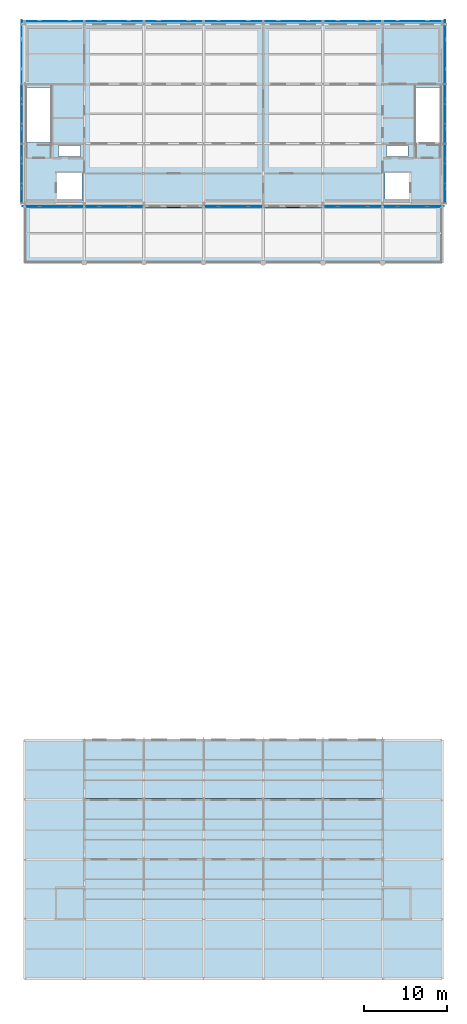
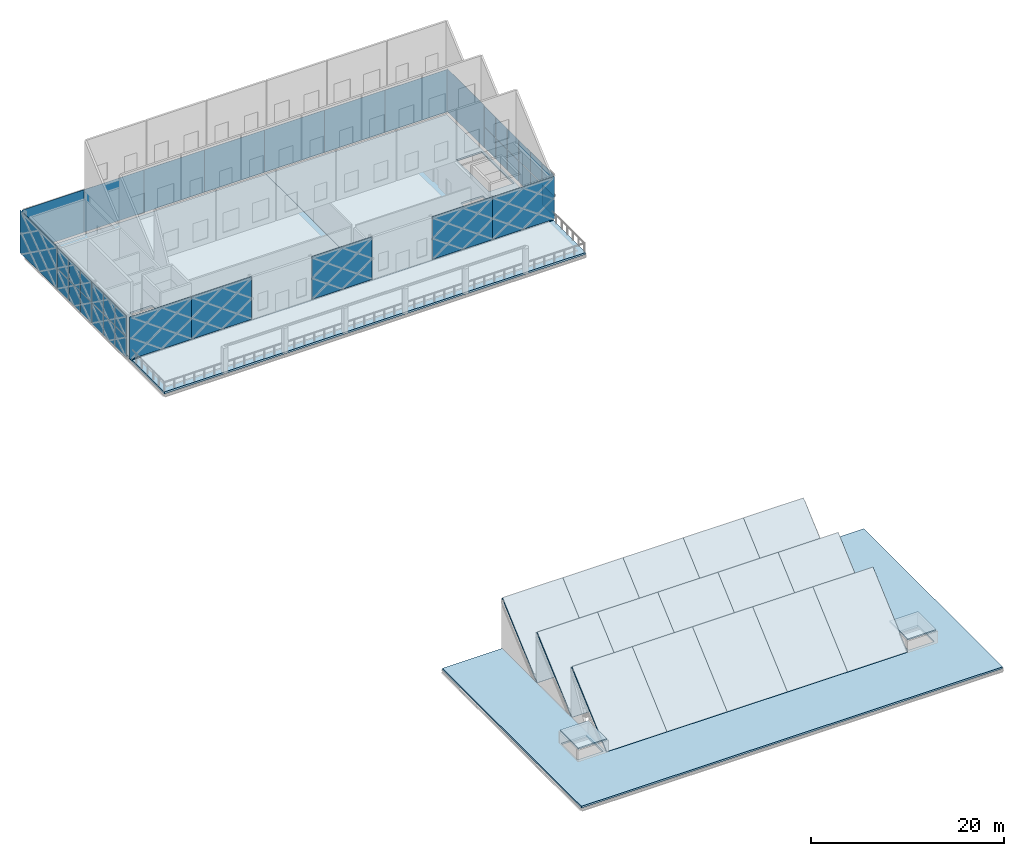
# One storey, part 19 of 31: 38 plates, 21 slabs, 4 elements without a shape of their own.
"""IFC4 building model written with IfcOpenShell, lengths in metres."""

from ifc_helpers import new_model, si_unit, direction, frame, origin, origin_2d, place, context, subcontext, project, spatial, polyline, rectangle, outline, extrude, material, layer, layer_set, type_object, element, aggregate, save


model = new_model("IFC4")

# Units and contexts
model_context = context("Model", 3, precision=1e-05, world=origin(), true_north=direction((0.0, 1.0)))
body_context = subcontext(model_context, "Body", "Model", "MODEL_VIEW")
ifc_project = project(units=[si_unit("LENGTHUNIT", "METRE"), si_unit("AREAUNIT", "SQUARE_METRE"), si_unit("VOLUMEUNIT", "CUBIC_METRE"), si_unit("PLANEANGLEUNIT", "RADIAN"), si_unit("MASSUNIT", "GRAM", prefix="KILO")], contexts=[model_context])

# Site, building, storey
site_placement = place(None, origin())
site = spatial("IfcSite", under=ifc_project, at=site_placement, CompositionType="ELEMENT")
building_placement = place(site_placement, origin())
building = spatial("IfcBuilding", under=site, at=building_placement, Name="Zlatovets Crest Museum", CompositionType="ELEMENT")
storey_placement = place(building_placement, frame((0.0, 0.0, 25.199951171875)))
storey = spatial("IfcBuildingStorey", under=building, at=storey_placement, Name="L05", CompositionType="ELEMENT", Elevation=25.199951171875)

# Curtain wall, plates
ifc_material_1 = material(Name="Bronze-anodised aluminium and low-E triple glass", Category="aluminium")
curtain_wall_type_1 = type_object("IfcCurtainWallType", Name="CW_CW-V1-L05-M0", PredefinedType="NOTDEFINED", material=ifc_material_1)
curtain_wall_1_placement = place(storey_placement, origin())
curtain_wall_1 = element("IfcCurtainWall", 1, at=curtain_wall_1_placement, inside=storey, type_object=curtain_wall_type_1, Name="V1 L05 Expressed Core Glazed Facade", PredefinedType="NOTDEFINED")
ifc_material_2 = material(Name="Solar-control low-E laminated triple glass", Category="glass")
ifc_layer_1 = layer(ifc_material_2, 0.030029296875)
ifc_layer_set_1 = layer_set([ifc_layer_1], Name="Solar-control low-E laminated triple glass")
plate_type_1 = type_object("IfcPlateType", Name="CWPanel_CW-V1-L05-M0", PredefinedType="CURTAIN_PANEL", material=ifc_layer_set_1)
plate_1_placement = place(storey_placement, frame((108.340087890625, 102.014892578125, 0.06005859375), z_axis=(0.0, 0.0, 1.0), x_axis=(0.0, 1.0, 0.0)))
plate_1 = element("IfcPlate", 2, at=plate_1_placement, type_object=plate_type_1, Name="CW-V1-L05-M0 panel 1.1", PredefinedType="CURTAIN_PANEL", context=body_context, shape_type="SweptSolid", body=[
    extrude(rectangle(XDim=2.31005859375, YDim=0.030029296875, at=origin_2d()), origin(), (0.0, 0.0, 1.0), 2.610107421875),
])
plate_2_placement = place(storey_placement, frame((108.340087890625, 102.014892578125, 2.72998046875), z_axis=(0.0, 0.0, 1.0), x_axis=(0.0, 1.0, 0.0)))
plate_2 = element("IfcPlate", 3, at=plate_2_placement, type_object=plate_type_1, Name="CW-V1-L05-M0 panel 1.2", PredefinedType="CURTAIN_PANEL", context=body_context, shape_type="SweptSolid", body=[
    extrude(rectangle(XDim=2.31005859375, YDim=0.030029296875, at=origin_2d()), origin(), (0.0, 0.0, 1.0), 2.610107421875),
])
plate_3_placement = place(storey_placement, frame((108.340087890625, 104.39990234375, 0.06005859375), z_axis=(0.0, 0.0, 1.0), x_axis=(0.0, 1.0, 0.0)))
plate_3 = element("IfcPlate", 4, at=plate_3_placement, type_object=plate_type_1, Name="CW-V1-L05-M0 panel 2.1", PredefinedType="CURTAIN_PANEL", context=body_context, shape_type="SweptSolid", body=[
    extrude(rectangle(XDim=2.340087890625, YDim=0.030029296875, at=origin_2d()), origin(), (0.0, 0.0, 1.0), 2.610107421875),
])
plate_4_placement = place(storey_placement, frame((108.340087890625, 104.39990234375, 2.72998046875), z_axis=(0.0, 0.0, 1.0), x_axis=(0.0, 1.0, 0.0)))
plate_4 = element("IfcPlate", 5, at=plate_4_placement, type_object=plate_type_1, Name="CW-V1-L05-M0 panel 2.2", PredefinedType="CURTAIN_PANEL", context=body_context, shape_type="SweptSolid", body=[
    extrude(rectangle(XDim=2.340087890625, YDim=0.030029296875, at=origin_2d()), origin(), (0.0, 0.0, 1.0), 2.610107421875),
])
plate_5_placement = place(storey_placement, frame((108.340087890625, 106.784912109375, 0.06005859375), z_axis=(0.0, 0.0, 1.0), x_axis=(0.0, 1.0, 0.0)))
plate_5 = element("IfcPlate", 6, at=plate_5_placement, type_object=plate_type_1, Name="CW-V1-L05-M0 panel 3.1", PredefinedType="CURTAIN_PANEL", context=body_context, shape_type="SweptSolid", body=[
    extrude(rectangle(XDim=2.31005859375, YDim=0.030029296875, at=origin_2d()), origin(), (0.0, 0.0, 1.0), 2.610107421875),
])
plate_6_placement = place(storey_placement, frame((108.340087890625, 106.784912109375, 2.72998046875), z_axis=(0.0, 0.0, 1.0), x_axis=(0.0, 1.0, 0.0)))
plate_6 = element("IfcPlate", 7, at=plate_6_placement, type_object=plate_type_1, Name="CW-V1-L05-M0 panel 3.2", PredefinedType="CURTAIN_PANEL", context=body_context, shape_type="SweptSolid", body=[
    extrude(rectangle(XDim=2.31005859375, YDim=0.030029296875, at=origin_2d()), origin(), (0.0, 0.0, 1.0), 2.610107421875),
])
aggregate(curtain_wall_1, [plate_1, plate_2, plate_3, plate_4, plate_5, plate_6])

curtain_wall_type_2 = type_object("IfcCurtainWallType", Name="CW_CW-V1-L05-M2", PredefinedType="NOTDEFINED", material=ifc_material_1)
curtain_wall_2_placement = place(storey_placement, origin())
curtain_wall_2 = element("IfcCurtainWall", 8, at=curtain_wall_2_placement, inside=storey, type_object=curtain_wall_type_2, Name="V1 L05 Expressed Core Glazed Facade", PredefinedType="NOTDEFINED")
ifc_layer_2 = layer(ifc_material_2, 0.030029296875)
ifc_layer_set_2 = layer_set([ifc_layer_2], Name="Solar-control low-E laminated triple glass")
plate_type_2 = type_object("IfcPlateType", Name="CWPanel_CW-V1-L05-M2", PredefinedType="CURTAIN_PANEL", material=ifc_layer_set_2)
plate_7_placement = place(storey_placement, frame((57.260009765625, 106.784912109375, 0.06005859375), z_axis=(0.0, 0.0, 1.0), x_axis=(0.0, -1.0, 0.0)))
plate_7 = element("IfcPlate", 9, at=plate_7_placement, type_object=plate_type_2, Name="CW-V1-L05-M2 panel 1.1", PredefinedType="CURTAIN_PANEL", context=body_context, shape_type="SweptSolid", body=[
    extrude(rectangle(XDim=2.31005859375, YDim=0.030029296875, at=origin_2d()), origin(), (0.0, 0.0, 1.0), 2.610107421875),
])
plate_8_placement = place(storey_placement, frame((57.260009765625, 106.784912109375, 2.72998046875), z_axis=(0.0, 0.0, 1.0), x_axis=(0.0, -1.0, 0.0)))
plate_8 = element("IfcPlate", 10, at=plate_8_placement, type_object=plate_type_2, Name="CW-V1-L05-M2 panel 1.2", PredefinedType="CURTAIN_PANEL", context=body_context, shape_type="SweptSolid", body=[
    extrude(rectangle(XDim=2.31005859375, YDim=0.030029296875, at=origin_2d()), origin(), (0.0, 0.0, 1.0), 2.610107421875),
])
plate_9_placement = place(storey_placement, frame((57.260009765625, 104.39990234375, 0.06005859375), z_axis=(0.0, 0.0, 1.0), x_axis=(0.0, -1.0, 0.0)))
plate_9 = element("IfcPlate", 11, at=plate_9_placement, type_object=plate_type_2, Name="CW-V1-L05-M2 panel 2.1", PredefinedType="CURTAIN_PANEL", context=body_context, shape_type="SweptSolid", body=[
    extrude(rectangle(XDim=2.340087890625, YDim=0.030029296875, at=origin_2d()), origin(), (0.0, 0.0, 1.0), 2.610107421875),
])
plate_10_placement = place(storey_placement, frame((57.260009765625, 104.39990234375, 2.72998046875), z_axis=(0.0, 0.0, 1.0), x_axis=(0.0, -1.0, 0.0)))
plate_10 = element("IfcPlate", 12, at=plate_10_placement, type_object=plate_type_2, Name="CW-V1-L05-M2 panel 2.2", PredefinedType="CURTAIN_PANEL", context=body_context, shape_type="SweptSolid", body=[
    extrude(rectangle(XDim=2.340087890625, YDim=0.030029296875, at=origin_2d()), origin(), (0.0, 0.0, 1.0), 2.610107421875),
])
plate_11_placement = place(storey_placement, frame((57.260009765625, 102.014892578125, 0.06005859375), z_axis=(0.0, 0.0, 1.0), x_axis=(0.0, -1.0, 0.0)))
plate_11 = element("IfcPlate", 13, at=plate_11_placement, type_object=plate_type_2, Name="CW-V1-L05-M2 panel 3.1", PredefinedType="CURTAIN_PANEL", context=body_context, shape_type="SweptSolid", body=[
    extrude(rectangle(XDim=2.31005859375, YDim=0.030029296875, at=origin_2d()), origin(), (0.0, 0.0, 1.0), 2.610107421875),
])
plate_12_placement = place(storey_placement, frame((57.260009765625, 102.014892578125, 2.72998046875), z_axis=(0.0, 0.0, 1.0), x_axis=(0.0, -1.0, 0.0)))
plate_12 = element("IfcPlate", 14, at=plate_12_placement, type_object=plate_type_2, Name="CW-V1-L05-M2 panel 3.2", PredefinedType="CURTAIN_PANEL", context=body_context, shape_type="SweptSolid", body=[
    extrude(rectangle(XDim=2.31005859375, YDim=0.030029296875, at=origin_2d()), origin(), (0.0, 0.0, 1.0), 2.610107421875),
])
aggregate(curtain_wall_2, [plate_7, plate_8, plate_9, plate_10, plate_11, plate_12])

curtain_wall_type_3 = type_object("IfcCurtainWallType", Name="CW_CW-V1-L05-M3", PredefinedType="NOTDEFINED", material=ifc_material_1)
curtain_wall_3_placement = place(storey_placement, origin())
curtain_wall_3 = element("IfcCurtainWall", 15, at=curtain_wall_3_placement, inside=storey, type_object=curtain_wall_type_3, Name="V1 L05 Expressed Core Glazed Facade", PredefinedType="NOTDEFINED")
ifc_layer_3 = layer(ifc_material_2, 0.030029296875)
ifc_layer_set_3 = layer_set([ifc_layer_3], Name="Solar-control low-E laminated triple glass")
plate_type_3 = type_object("IfcPlateType", Name="CWPanel_CW-V1-L05-M3", PredefinedType="CURTAIN_PANEL", material=ifc_layer_set_3)
plate_13_placement = place(storey_placement, frame((108.340087890625, 94.81494140625, 0.06005859375), z_axis=(0.0, 0.0, 1.0), x_axis=(0.0, 1.0, 0.0)))
plate_13 = element("IfcPlate", 16, at=plate_13_placement, type_object=plate_type_3, Name="CW-V1-L05-M3 panel 1.1", PredefinedType="CURTAIN_PANEL", context=body_context, shape_type="SweptSolid", body=[
    extrude(rectangle(XDim=2.31005859375, YDim=0.030029296875, at=origin_2d()), origin(), (0.0, 0.0, 1.0), 2.610107421875),
])
plate_14_placement = place(storey_placement, frame((108.340087890625, 94.81494140625, 2.72998046875), z_axis=(0.0, 0.0, 1.0), x_axis=(0.0, 1.0, 0.0)))
plate_14 = element("IfcPlate", 17, at=plate_14_placement, type_object=plate_type_3, Name="CW-V1-L05-M3 panel 1.2", PredefinedType="CURTAIN_PANEL", context=body_context, shape_type="SweptSolid", body=[
    extrude(rectangle(XDim=2.31005859375, YDim=0.030029296875, at=origin_2d()), origin(), (0.0, 0.0, 1.0), 2.610107421875),
])
plate_15_placement = place(storey_placement, frame((108.340087890625, 97.199951171875, 0.06005859375), z_axis=(0.0, 0.0, 1.0), x_axis=(0.0, 1.0, 0.0)))
plate_15 = element("IfcPlate", 18, at=plate_15_placement, type_object=plate_type_3, Name="CW-V1-L05-M3 panel 2.1", PredefinedType="CURTAIN_PANEL", context=body_context, shape_type="SweptSolid", body=[
    extrude(rectangle(XDim=2.340087890625, YDim=0.030029296875, at=origin_2d()), origin(), (0.0, 0.0, 1.0), 2.610107421875),
])
plate_16_placement = place(storey_placement, frame((108.340087890625, 97.199951171875, 2.72998046875), z_axis=(0.0, 0.0, 1.0), x_axis=(0.0, 1.0, 0.0)))
plate_16 = element("IfcPlate", 19, at=plate_16_placement, type_object=plate_type_3, Name="CW-V1-L05-M3 panel 2.2", PredefinedType="CURTAIN_PANEL", context=body_context, shape_type="SweptSolid", body=[
    extrude(rectangle(XDim=2.340087890625, YDim=0.030029296875, at=origin_2d()), origin(), (0.0, 0.0, 1.0), 2.610107421875),
])
plate_17_placement = place(storey_placement, frame((108.340087890625, 99.5849609375, 0.06005859375), z_axis=(0.0, 0.0, 1.0), x_axis=(0.0, 1.0, 0.0)))
plate_17 = element("IfcPlate", 20, at=plate_17_placement, type_object=plate_type_3, Name="CW-V1-L05-M3 panel 3.1", PredefinedType="CURTAIN_PANEL", context=body_context, shape_type="SweptSolid", body=[
    extrude(rectangle(XDim=2.31005859375, YDim=0.030029296875, at=origin_2d()), origin(), (0.0, 0.0, 1.0), 2.610107421875),
])
plate_18_placement = place(storey_placement, frame((108.340087890625, 99.5849609375, 2.72998046875), z_axis=(0.0, 0.0, 1.0), x_axis=(0.0, 1.0, 0.0)))
plate_18 = element("IfcPlate", 21, at=plate_18_placement, type_object=plate_type_3, Name="CW-V1-L05-M3 panel 3.2", PredefinedType="CURTAIN_PANEL", context=body_context, shape_type="SweptSolid", body=[
    extrude(rectangle(XDim=2.31005859375, YDim=0.030029296875, at=origin_2d()), origin(), (0.0, 0.0, 1.0), 2.610107421875),
])
aggregate(curtain_wall_3, [plate_13, plate_14, plate_15, plate_16, plate_17, plate_18])

curtain_wall_4_placement = place(storey_placement, origin())
curtain_wall_4 = element("IfcCurtainWall", 22, at=curtain_wall_4_placement, inside=storey, type_object=curtain_wall_type_3, Name="V1 L05 Expressed Core Glazed Facade", PredefinedType="NOTDEFINED")
plate_19_placement = place(storey_placement, frame((57.260009765625, 99.5849609375, 0.06005859375), z_axis=(0.0, 0.0, 1.0), x_axis=(0.0, -1.0, 0.0)))
plate_19 = element("IfcPlate", 23, at=plate_19_placement, type_object=plate_type_3, Name="CW-V1-L05-M3 panel 1.1", PredefinedType="CURTAIN_PANEL", context=body_context, shape_type="SweptSolid", body=[
    extrude(rectangle(XDim=2.31005859375, YDim=0.030029296875, at=origin_2d()), origin(), (0.0, 0.0, 1.0), 2.610107421875),
])
plate_20_placement = place(storey_placement, frame((57.260009765625, 99.5849609375, 2.72998046875), z_axis=(0.0, 0.0, 1.0), x_axis=(0.0, -1.0, 0.0)))
plate_20 = element("IfcPlate", 24, at=plate_20_placement, type_object=plate_type_3, Name="CW-V1-L05-M3 panel 1.2", PredefinedType="CURTAIN_PANEL", context=body_context, shape_type="SweptSolid", body=[
    extrude(rectangle(XDim=2.31005859375, YDim=0.030029296875, at=origin_2d()), origin(), (0.0, 0.0, 1.0), 2.610107421875),
])
plate_21_placement = place(storey_placement, frame((57.260009765625, 97.199951171875, 0.06005859375), z_axis=(0.0, 0.0, 1.0), x_axis=(0.0, -1.0, 0.0)))
plate_21 = element("IfcPlate", 25, at=plate_21_placement, type_object=plate_type_3, Name="CW-V1-L05-M3 panel 2.1", PredefinedType="CURTAIN_PANEL", context=body_context, shape_type="SweptSolid", body=[
    extrude(rectangle(XDim=2.340087890625, YDim=0.030029296875, at=origin_2d()), origin(), (0.0, 0.0, 1.0), 2.610107421875),
])
plate_22_placement = place(storey_placement, frame((57.260009765625, 97.199951171875, 2.72998046875), z_axis=(0.0, 0.0, 1.0), x_axis=(0.0, -1.0, 0.0)))
plate_22 = element("IfcPlate", 26, at=plate_22_placement, type_object=plate_type_3, Name="CW-V1-L05-M3 panel 2.2", PredefinedType="CURTAIN_PANEL", context=body_context, shape_type="SweptSolid", body=[
    extrude(rectangle(XDim=2.340087890625, YDim=0.030029296875, at=origin_2d()), origin(), (0.0, 0.0, 1.0), 2.610107421875),
])
plate_23_placement = place(storey_placement, frame((57.260009765625, 94.81494140625, 0.06005859375), z_axis=(0.0, 0.0, 1.0), x_axis=(0.0, -1.0, 0.0)))
plate_23 = element("IfcPlate", 27, at=plate_23_placement, type_object=plate_type_3, Name="CW-V1-L05-M3 panel 3.1", PredefinedType="CURTAIN_PANEL", context=body_context, shape_type="SweptSolid", body=[
    extrude(rectangle(XDim=2.31005859375, YDim=0.030029296875, at=origin_2d()), origin(), (0.0, 0.0, 1.0), 2.610107421875),
])
plate_24_placement = place(storey_placement, frame((57.260009765625, 94.81494140625, 2.72998046875), z_axis=(0.0, 0.0, 1.0), x_axis=(0.0, -1.0, 0.0)))
plate_24 = element("IfcPlate", 28, at=plate_24_placement, type_object=plate_type_3, Name="CW-V1-L05-M3 panel 3.2", PredefinedType="CURTAIN_PANEL", context=body_context, shape_type="SweptSolid", body=[
    extrude(rectangle(XDim=2.31005859375, YDim=0.030029296875, at=origin_2d()), origin(), (0.0, 0.0, 1.0), 2.610107421875),
])
aggregate(curtain_wall_4, [plate_19, plate_20, plate_21, plate_22, plate_23, plate_24])

# Plates
ifc_material_3 = material(Name="Ceramic-fritted low-E laminated architectural glass", Category="glass")
ifc_layer_4 = layer(ifc_material_3, 0.031982421875)
ifc_layer_set_4 = layer_set([ifc_layer_4], Name="Ceramic-fritted low-E laminated architectural glass")
plate_type_4 = type_object("IfcPlateType", Name="GlazedSpandrel_GSP1", PredefinedType="USERDEFINED", material=ifc_layer_set_4)
plate_25_placement = place(storey_placement, frame((61.10009765625, 93.260009765625, 0.0), z_axis=(0.0, 0.0, 1.0), x_axis=(1.0, 0.0, 0.0)))
element("IfcPlate", 29, at=plate_25_placement, inside=storey, type_object=plate_type_4, Name="V1 L05 Ceramic-Fritted Gallery Glass Skin", ObjectType="GLAZED_SPANDREL", PredefinedType="USERDEFINED", context=body_context, shape_type="SweptSolid", body=[
    extrude(rectangle(XDim=7.39990234375, YDim=0.031982421875, at=origin_2d()), origin(), (0.0, 0.0, 1.0), 5.39990234375),
])
for number, where, z_axis, x_axis, name in (
    (30, (68.39990234375, 93.260009765625, 0.0), (0.0, 0.0, 1.0), (1.0, 0.0, 0.0), "V1 L05 Ceramic-Fritted Gallery Glass Skin"),
    (31, (82.800048828125, 93.260009765625, 0.0), (0.0, 0.0, 1.0), (1.0, 0.0, 0.0), "V1 L05 Ceramic-Fritted Gallery Glass Skin"),
    (32, (97.199951171875, 93.260009765625, 0.0), (0.0, 0.0, 1.0), (1.0, 0.0, 0.0), "V1 L05 Ceramic-Fritted Gallery Glass Skin"),
):
    element("IfcPlate", number, at=place(storey_placement, frame(where, z_axis=z_axis, x_axis=x_axis)), inside=storey, type_object=plate_type_4, Name=name, ObjectType="GLAZED_SPANDREL", PredefinedType="USERDEFINED", context=body_context, shape_type="SweptSolid", body=[
        extrude(rectangle(XDim=7.199951171875, YDim=0.031982421875, at=origin_2d()), origin(), (0.0, 0.0, 1.0), 5.39990234375),
    ])
plate_26_placement = place(storey_placement, frame((104.5, 93.260009765625, 0.0), z_axis=(0.0, 0.0, 1.0), x_axis=(1.0, 0.0, 0.0)))
element("IfcPlate", 33, at=plate_26_placement, inside=storey, type_object=plate_type_4, Name="V1 L05 Ceramic-Fritted Gallery Glass Skin", ObjectType="GLAZED_SPANDREL", PredefinedType="USERDEFINED", context=body_context, shape_type="SweptSolid", body=[
    extrude(rectangle(XDim=7.39990234375, YDim=0.031982421875, at=origin_2d()), origin(), (0.0, 0.0, 1.0), 5.39990234375),
])
plate_27_placement = place(storey_placement, frame((108.340087890625, 111.840087890625, 0.0), z_axis=(0.0, 0.0, 1.0), x_axis=(0.0, 1.0, 0.0)))
element("IfcPlate", 34, at=plate_27_placement, inside=storey, type_object=plate_type_4, Name="V1 L05 Ceramic-Fritted Gallery Glass Skin", ObjectType="GLAZED_SPANDREL", PredefinedType="USERDEFINED", context=body_context, shape_type="SweptSolid", body=[
    extrude(rectangle(XDim=7.679931640625, YDim=0.031982421875, at=origin_2d()), origin(), (0.0, 0.0, 1.0), 5.39990234375),
])
plate_28_placement = place(storey_placement, frame((104.5, 115.5400390625, 0.0), z_axis=(0.0, 0.0, 1.0), x_axis=(1.0, 0.0, 0.0)))
element("IfcPlate", 35, at=plate_28_placement, inside=storey, type_object=plate_type_4, Name="V1 L05 Ceramic-Fritted Gallery Glass Skin", ObjectType="GLAZED_SPANDREL", PredefinedType="USERDEFINED", context=body_context, shape_type="SweptSolid", body=[
    extrude(rectangle(XDim=7.39990234375, YDim=0.031982421875, at=origin_2d()), origin(), (0.0, 0.0, 1.0), 5.39990234375),
])
for number, where, z_axis, x_axis, name in (
    (36, (97.199951171875, 115.5400390625, 0.0), (0.0, 0.0, 1.0), (1.0, 0.0, 0.0), "V1 L05 Ceramic-Fritted Gallery Glass Skin"),
    (37, (90.0, 115.5400390625, 0.0), (0.0, 0.0, 1.0), (1.0, 0.0, 0.0), "V1 L05 Ceramic-Fritted Gallery Glass Skin"),
    (38, (82.800048828125, 115.5400390625, 0.0), (0.0, 0.0, 1.0), (1.0, 0.0, 0.0), "V1 L05 Ceramic-Fritted Gallery Glass Skin"),
    (39, (75.60009765625, 115.5400390625, 0.0), (0.0, 0.0, 1.0), (1.0, 0.0, 0.0), "V1 L05 Ceramic-Fritted Gallery Glass Skin"),
    (40, (68.39990234375, 115.5400390625, 0.0), (0.0, 0.0, 1.0), (1.0, 0.0, 0.0), "V1 L05 Ceramic-Fritted Gallery Glass Skin"),
):
    element("IfcPlate", number, at=place(storey_placement, frame(where, z_axis=z_axis, x_axis=x_axis)), inside=storey, type_object=plate_type_4, Name=name, ObjectType="GLAZED_SPANDREL", PredefinedType="USERDEFINED", context=body_context, shape_type="SweptSolid", body=[
        extrude(rectangle(XDim=7.199951171875, YDim=0.031982421875, at=origin_2d()), origin(), (0.0, 0.0, 1.0), 5.39990234375),
    ])
plate_29_placement = place(storey_placement, frame((61.10009765625, 115.5400390625, 0.0), z_axis=(0.0, 0.0, 1.0), x_axis=(1.0, 0.0, 0.0)))
element("IfcPlate", 41, at=plate_29_placement, inside=storey, type_object=plate_type_4, Name="V1 L05 Ceramic-Fritted Gallery Glass Skin", ObjectType="GLAZED_SPANDREL", PredefinedType="USERDEFINED", context=body_context, shape_type="SweptSolid", body=[
    extrude(rectangle(XDim=7.39990234375, YDim=0.031982421875, at=origin_2d()), origin(), (0.0, 0.0, 1.0), 5.39990234375),
])
plate_30_placement = place(storey_placement, frame((57.260009765625, 111.840087890625, 0.0), z_axis=(0.0, 0.0, 1.0), x_axis=(0.0, 1.0, 0.0)))
element("IfcPlate", 42, at=plate_30_placement, inside=storey, type_object=plate_type_4, Name="V1 L05 Ceramic-Fritted Gallery Glass Skin", ObjectType="GLAZED_SPANDREL", PredefinedType="USERDEFINED", context=body_context, shape_type="SweptSolid", body=[
    extrude(rectangle(XDim=7.679931640625, YDim=0.031982421875, at=origin_2d()), origin(), (0.0, 0.0, 1.0), 5.39990234375),
])

# Slabs
ifc_material_4 = material(Name="Concrete C30/37", Category="concrete")
ifc_layer_5 = layer(ifc_material_4, 0.219970703125)
ifc_layer_set_5 = layer_set([ifc_layer_5], Name="Concrete C30/37")
slab_type_1 = type_object("IfcSlabType", Name="Slab_FS-02", PredefinedType="FLOOR", material=ifc_layer_set_5)
slab_1_placement = place(storey_placement, frame((0.0, 0.0, -0.219970703125)))
element("IfcSlab", 43, at=slab_1_placement, inside=storey, type_object=slab_type_1, Name="V1 L05 Structural Slab Panel 1", PredefinedType="FLOOR", context=body_context, shape_type="SweptSolid", body=[
    extrude(outline(polyline([(57.60009765625, 93.60009765625), (57.60009765625, 115.199951171875), (86.39990234375, 115.199951171875), (86.39990234375, 93.10009765625), (57.60009765625, 93.10009765625), (57.60009765625, 93.60009765625)]), holes=[polyline([(57.800048828125, 107.60009765625), (57.800048828125, 100.93994140625), (60.800048828125, 100.93994140625), (60.800048828125, 107.60009765625), (57.800048828125, 107.60009765625)]), polyline([(64.5, 93.89990234375), (64.5, 97.300048828125), (61.449951171875, 97.300048828125), (61.449951171875, 93.89990234375), (64.5, 93.89990234375)]), polyline([(61.699951171875, 99.25), (64.35009765625, 99.25), (64.35009765625, 100.60009765625), (61.699951171875, 100.60009765625), (61.699951171875, 99.25)])]), origin(), (0.0, 0.0, 1.0), 0.219970703125),
])
slab_2_placement = place(storey_placement, frame((0.0, 0.0, -0.219970703125)))
element("IfcSlab", 44, at=slab_2_placement, inside=storey, type_object=slab_type_1, Name="V1 L05 Structural Slab Panel 2", PredefinedType="FLOOR", context=body_context, shape_type="SweptSolid", body=[
    extrude(outline(polyline([(86.39990234375, 115.199951171875), (108.0, 115.199951171875), (108.0, 93.60009765625), (108.0, 93.10009765625), (86.39990234375, 93.10009765625), (86.39990234375, 115.199951171875)]), holes=[polyline([(107.800048828125, 107.60009765625), (104.800048828125, 107.60009765625), (104.800048828125, 100.93994140625), (107.800048828125, 100.93994140625), (107.800048828125, 107.60009765625)]), polyline([(101.10009765625, 97.300048828125), (101.10009765625, 93.89990234375), (104.14990234375, 93.89990234375), (104.14990234375, 97.300048828125), (101.10009765625, 97.300048828125)]), polyline([(103.89990234375, 100.60009765625), (101.25, 100.60009765625), (101.25, 99.25), (103.89990234375, 99.25), (103.89990234375, 100.60009765625)])]), origin(), (0.0, 0.0, 1.0), 0.219970703125),
])
ifc_layer_6 = layer(ifc_material_4, 0.219970703125)
ifc_layer_set_6 = layer_set([ifc_layer_6], Name="Concrete C30/37")
slab_type_2 = type_object("IfcSlabType", Name="Slab_RS-01", PredefinedType="ROOF", material=ifc_layer_set_6)
slab_3_placement = place(storey_placement, frame((0.0, 0.0, -0.219970703125)))
element("IfcSlab", 45, at=slab_3_placement, inside=storey, type_object=slab_type_2, Name="V2 L05 Perimeter Wing Roof Slab", PredefinedType="ROOF", context=body_context, shape_type="SweptSolid", body=[
    extrude(outline(polyline([(57.60009765625, 0.0), (57.60009765625, 28.800048828125), (64.800048828125, 28.800048828125), (64.800048828125, 7.199951171875), (100.800048828125, 7.199951171875), (100.800048828125, 28.800048828125), (108.0, 28.800048828125), (108.0, 0.0), (57.60009765625, 0.0)]), holes=[polyline([(61.449951171875, 10.89990234375), (61.449951171875, 7.5), (64.5, 7.5), (64.5, 10.89990234375), (61.449951171875, 10.89990234375)]), polyline([(104.14990234375, 10.89990234375), (101.10009765625, 10.89990234375), (101.10009765625, 7.5), (104.14990234375, 7.5), (104.14990234375, 10.89990234375)])]), origin(), (0.0, 0.0, 1.0), 0.219970703125),
])
ifc_layer_7 = layer(ifc_material_4, 0.219970703125)
ifc_layer_set_7 = layer_set([ifc_layer_7], Name="Concrete C30/37")
slab_type_3 = type_object("IfcSlabType", Name="Slab_RS-02", PredefinedType="ROOF", material=ifc_layer_set_7)
for number, where, z_axis, x_axis, name in (
    (46, (64.800048828125, 7.199951171875, 0.0), (0.0, -0.664374849989, 0.747399530842), (1.0, 0.0, 0.0), "V2 Sawtooth Tooth 1 Sloped Roof Slab Bay 1"),
    (47, (72.0, 7.199951171875, 0.0), (0.0, -0.664374849989, 0.747399530842), (1.0, 0.0, 0.0), "V2 Sawtooth Tooth 1 Sloped Roof Slab Bay 2"),
    (48, (79.199951171875, 7.199951171875, 0.0), (0.0, -0.664374849989, 0.747399530842), (1.0, 0.0, 0.0), "V2 Sawtooth Tooth 1 Sloped Roof Slab Bay 3"),
):
    element("IfcSlab", number, at=place(storey_placement, frame(where, z_axis=z_axis, x_axis=x_axis)), inside=storey, type_object=slab_type_3, Name=name, PredefinedType="ROOF", context=body_context, shape_type="SweptSolid", body=[
        extrude(outline(polyline([(0.0, 0.0), (7.199951171875, 0.0), (7.199951171875, 9.633336488405345), (0.0, 9.633336488405345), (0.0, 0.0)])), origin(), (0.0, 0.0, -1.0), 0.219970703125),
    ])
slab_4_placement = place(storey_placement, frame((86.39990234375, 7.199951171875, 0.0), z_axis=(0.0, -0.664374849989, 0.747399530842), x_axis=(1.0, 0.0, 0.0)))
element("IfcSlab", 49, at=slab_4_placement, inside=storey, type_object=slab_type_3, Name="V2 Sawtooth Tooth 1 Sloped Roof Slab Bay 4", PredefinedType="ROOF", context=body_context, shape_type="SweptSolid", body=[
    extrude(outline(polyline([(0.0, 0.0), (7.2001953125, 0.0), (7.2001953125, 9.633336488405348), (0.0, 9.633336488405348), (0.0, 0.0)])), origin(), (0.0, 0.0, -1.0), 0.219970703125),
])
slab_5_placement = place(storey_placement, frame((93.60009765625, 7.199951171875, 0.0), z_axis=(0.0, -0.664374849989, 0.747399530842), x_axis=(1.0, 0.0, 0.0)))
element("IfcSlab", 50, at=slab_5_placement, inside=storey, type_object=slab_type_3, Name="V2 Sawtooth Tooth 1 Sloped Roof Slab Bay 5", PredefinedType="ROOF", context=body_context, shape_type="SweptSolid", body=[
    extrude(outline(polyline([(0.0, 0.0), (7.199951171875, 0.0), (7.199951171875, 9.633336488405345), (0.0, 9.633336488405345), (0.0, 0.0)])), origin(), (0.0, 0.0, -1.0), 0.219970703125),
])
for number, where, z_axis, x_axis, name in (
    (51, (64.800048828125, 14.39990234375, 0.0), (0.0, -0.664362265825, 0.747410716907), (1.0, 0.0, 0.0), "V2 Sawtooth Tooth 2 Sloped Roof Slab Bay 1"),
    (52, (72.0, 14.39990234375, 0.0), (0.0, -0.664362265825, 0.747410716907), (1.0, 0.0, 0.0), "V2 Sawtooth Tooth 2 Sloped Roof Slab Bay 2"),
    (53, (79.199951171875, 14.39990234375, 0.0), (0.0, -0.664362265825, 0.747410716907), (1.0, 0.0, 0.0), "V2 Sawtooth Tooth 2 Sloped Roof Slab Bay 3"),
):
    element("IfcSlab", number, at=place(storey_placement, frame(where, z_axis=z_axis, x_axis=x_axis)), inside=storey, type_object=slab_type_3, Name=name, PredefinedType="ROOF", context=body_context, shape_type="SweptSolid", body=[
        extrude(outline(polyline([(0.0, 0.0), (7.199951171875, 0.0), (7.199951171875, 9.633518960359428), (0.0, 9.633518960359428), (0.0, 0.0)])), origin(), (0.0, 0.0, -1.0), 0.219970703125),
    ])
slab_6_placement = place(storey_placement, frame((86.39990234375, 14.39990234375, 0.0), z_axis=(0.0, -0.664362265825, 0.747410716907), x_axis=(1.0, 0.0, 0.0)))
element("IfcSlab", 54, at=slab_6_placement, inside=storey, type_object=slab_type_3, Name="V2 Sawtooth Tooth 2 Sloped Roof Slab Bay 4", PredefinedType="ROOF", context=body_context, shape_type="SweptSolid", body=[
    extrude(outline(polyline([(0.0, 0.0), (7.2001953125, 0.0), (7.2001953125, 9.633518960359432), (0.0, 9.633518960359432), (0.0, 0.0)])), origin(), (0.0, 0.0, -1.0), 0.219970703125),
])
slab_7_placement = place(storey_placement, frame((93.60009765625, 14.39990234375, 0.0), z_axis=(0.0, -0.664362265825, 0.747410716907), x_axis=(1.0, 0.0, 0.0)))
element("IfcSlab", 55, at=slab_7_placement, inside=storey, type_object=slab_type_3, Name="V2 Sawtooth Tooth 2 Sloped Roof Slab Bay 5", PredefinedType="ROOF", context=body_context, shape_type="SweptSolid", body=[
    extrude(outline(polyline([(0.0, 0.0), (7.199951171875, 0.0), (7.199951171875, 9.633518960359428), (0.0, 9.633518960359428), (0.0, 0.0)])), origin(), (0.0, 0.0, -1.0), 0.219970703125),
])
for number, where, z_axis, x_axis, name in (
    (56, (64.800048828125, 21.60009765625, 0.0), (0.0, -0.664374849989, 0.747399530842), (1.0, 0.0, 0.0), "V2 Sawtooth Tooth 3 Sloped Roof Slab Bay 1"),
    (57, (72.0, 21.60009765625, 0.0), (0.0, -0.664374849989, 0.747399530842), (1.0, 0.0, 0.0), "V2 Sawtooth Tooth 3 Sloped Roof Slab Bay 2"),
    (58, (79.199951171875, 21.60009765625, 0.0), (0.0, -0.664374849989, 0.747399530842), (1.0, 0.0, 0.0), "V2 Sawtooth Tooth 3 Sloped Roof Slab Bay 3"),
):
    element("IfcSlab", number, at=place(storey_placement, frame(where, z_axis=z_axis, x_axis=x_axis)), inside=storey, type_object=slab_type_3, Name=name, PredefinedType="ROOF", context=body_context, shape_type="SweptSolid", body=[
        extrude(outline(polyline([(0.0, 0.0), (7.199951171875, 0.0), (7.199951171875, 9.633336488405345), (0.0, 9.633336488405345), (0.0, 0.0)])), origin(), (0.0, 0.0, -1.0), 0.219970703125),
    ])
slab_8_placement = place(storey_placement, frame((86.39990234375, 21.60009765625, 0.0), z_axis=(0.0, -0.664374849989, 0.747399530842), x_axis=(1.0, 0.0, 0.0)))
element("IfcSlab", 59, at=slab_8_placement, inside=storey, type_object=slab_type_3, Name="V2 Sawtooth Tooth 3 Sloped Roof Slab Bay 4", PredefinedType="ROOF", context=body_context, shape_type="SweptSolid", body=[
    extrude(outline(polyline([(0.0, 0.0), (7.2001953125, 0.0), (7.2001953125, 9.633336488405348), (0.0, 9.633336488405348), (0.0, 0.0)])), origin(), (0.0, 0.0, -1.0), 0.219970703125),
])
slab_9_placement = place(storey_placement, frame((93.60009765625, 21.60009765625, 0.0), z_axis=(0.0, -0.664374849989, 0.747399530842), x_axis=(1.0, 0.0, 0.0)))
element("IfcSlab", 60, at=slab_9_placement, inside=storey, type_object=slab_type_3, Name="V2 Sawtooth Tooth 3 Sloped Roof Slab Bay 5", PredefinedType="ROOF", context=body_context, shape_type="SweptSolid", body=[
    extrude(outline(polyline([(0.0, 0.0), (7.199951171875, 0.0), (7.199951171875, 9.633336488405345), (0.0, 9.633336488405345), (0.0, 0.0)])), origin(), (0.0, 0.0, -1.0), 0.219970703125),
])
ifc_layer_8 = layer(ifc_material_4, 0.179931640625)
ifc_layer_set_8 = layer_set([ifc_layer_8], Name="Concrete C30/37")
slab_type_4 = type_object("IfcSlabType", Name="Slab_RS-05", PredefinedType="ROOF", material=ifc_layer_set_8)
slab_10_placement = place(storey_placement, frame((0.0, 0.0, 1.5)))
element("IfcSlab", 61, at=slab_10_placement, inside=storey, type_object=slab_type_4, Name="Lift PL3 Overrun Roof Slab", PredefinedType="ROOF", context=body_context, shape_type="SweptSolid", body=[
    extrude(outline(polyline([(61.39990234375, 7.199951171875), (64.800048828125, 7.199951171875), (64.800048828125, 11.0), (61.39990234375, 11.0), (61.39990234375, 7.199951171875)])), origin(), (0.0, 0.0, 1.0), 0.179931640625),
])
slab_11_placement = place(storey_placement, frame((0.0, 0.0, 1.5)))
element("IfcSlab", 62, at=slab_11_placement, inside=storey, type_object=slab_type_4, Name="Lift PL5 Overrun Roof Slab", PredefinedType="ROOF", context=body_context, shape_type="SweptSolid", body=[
    extrude(outline(polyline([(100.800048828125, 7.199951171875), (104.199951171875, 7.199951171875), (104.199951171875, 11.0), (100.800048828125, 11.0), (100.800048828125, 7.199951171875)])), origin(), (0.0, 0.0, 1.0), 0.179931640625),
])
ifc_layer_9 = layer(ifc_material_4, 0.239990234375)
ifc_layer_set_9 = layer_set([ifc_layer_9], Name="Concrete C30/37")
slab_type_5 = type_object("IfcSlabType", Name="Slab_TS-01", PredefinedType="FLOOR", material=ifc_layer_set_9)
slab_12_placement = place(storey_placement, frame((0.0, 0.0, -0.239990234375)))
element("IfcSlab", 63, at=slab_12_placement, inside=storey, type_object=slab_type_5, Name="L05 Crest Belvedere Roof Terrace Slab", PredefinedType="FLOOR", context=body_context, shape_type="SweptSolid", body=[
    extrude(outline(polyline([(108.0, 86.39990234375), (108.0, 93.080078125), (57.60009765625, 93.080078125), (57.60009765625, 86.39990234375), (108.0, 86.39990234375)])), origin(), (0.0, 0.0, 1.0), 0.239990234375),
])

save(model, "model.ifc")
